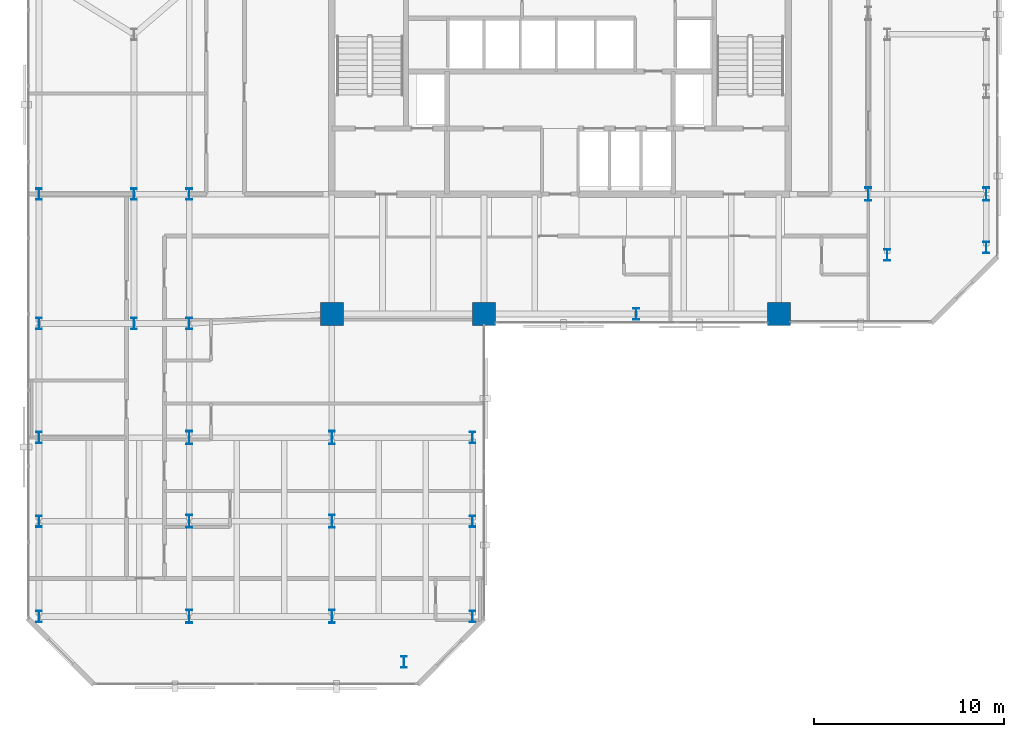
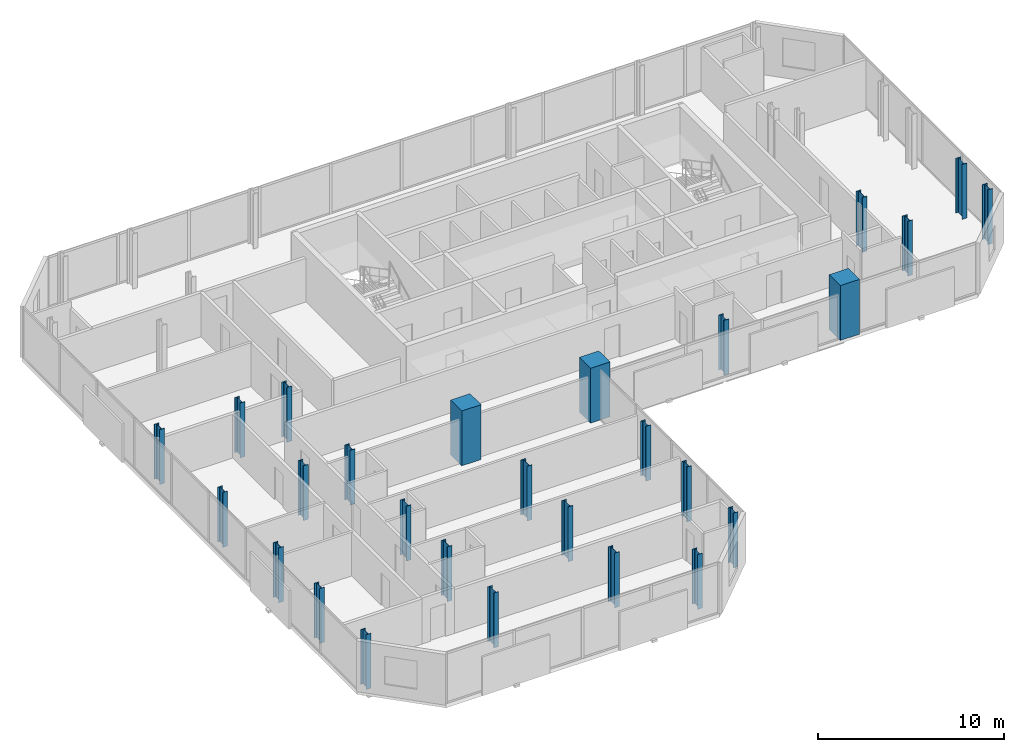
# One storey, part 1 of 32: 27 columns.
"""IFC4 building model written with IfcOpenShell, lengths in metres."""

from ifc_helpers import new_model, si_unit, direction, frame, origin, origin_2d, place, context, subcontext, project, spatial, rectangle, i_section, extrude, material, material_profile, profile_set, type_object, element, save


model = new_model("IFC4")

# Units and contexts
model_context = context("Model", 3, precision=1e-05, world=origin(), true_north=direction((0.0, 1.0)))
body_context = subcontext(model_context, "Body", "Model", "MODEL_VIEW")
ifc_project = project(units=[si_unit("LENGTHUNIT", "METRE"), si_unit("AREAUNIT", "SQUARE_METRE"), si_unit("VOLUMEUNIT", "CUBIC_METRE"), si_unit("PLANEANGLEUNIT", "RADIAN"), si_unit("MASSUNIT", "GRAM", prefix="KILO")], contexts=[model_context])

# Site, building, storey
site_placement = place(None, origin())
site = spatial("IfcSite", under=ifc_project, at=site_placement, CompositionType="ELEMENT")
building_placement = place(site_placement, origin())
building = spatial("IfcBuilding", under=site, at=building_placement, Name="Catumbela Crestline Tower", CompositionType="ELEMENT")
storey_placement = place(building_placement, frame((0.0, 0.0, 129.6)))
storey = spatial("IfcBuildingStorey", under=building, at=storey_placement, Name="L33", CompositionType="ELEMENT", Elevation=129.6)

# Columns
ifc_material_1 = material(Name="Concrete C50/60", Category="concrete")
ifc_material_profile_1 = material_profile(ifc_material_1, rectangle(XDim=1.2, YDim=1.2, at=origin_2d()), Name="RC 1200x1200")
ifc_profile_set_1 = profile_set([ifc_material_profile_1], Name="Concrete C50/60")
column_type_1 = type_object("IfcColumnType", Name="C-RC1200-C50", PredefinedType="COLUMN", material=ifc_profile_set_1)
for number, where, z_axis, x_axis, name in (
    (1, (16.0, 24.5, 0.0), (0.0, 0.0, 1.0), (1.0, 0.0, 0.0), "L33 Column C-16-24 (RC 1200x1200)"),
    (2, (24.0, 24.5, 0.0), (0.0, 0.0, 1.0), (1.0, 0.0, 0.0), "L33 Column C-24-24 (RC 1200x1200)"),
    (3, (39.5, 24.5, 0.0), (0.0, 0.0, 1.0), (1.0, 0.0, 0.0), "L33 Column C-40-24 (RC 1200x1200)"),
):
    element("IfcColumn", number, at=place(storey_placement, frame(where, z_axis=z_axis, x_axis=x_axis)), inside=storey, type_object=column_type_1, Name=name, PredefinedType="COLUMN", context=body_context, shape_type="SweptSolid", body=[
        extrude(rectangle(XDim=1.2, YDim=1.2, at=origin_2d()), origin(), (0.0, 0.0, 1.0), 3.6),
    ])
ifc_material_2 = material(Name="Structural steel S460M", Category="steel")
ifc_material_profile_2 = material_profile(ifc_material_2, i_section(OverallWidth=0.3, OverallDepth=0.6, WebThickness=0.0155, FlangeThickness=0.03, FilletRadius=0.027, at=origin_2d()), Name="HEB 600")
ifc_profile_set_2 = profile_set([ifc_material_profile_2], Name="Structural steel S460M")
column_type_2 = type_object("IfcColumnType", Name="C-ST-HEB600", PredefinedType="COLUMN", material=ifc_profile_set_2)
for number, where, z_axis, x_axis, name in (
    (4, (8.5, 24.0, 0.0), (0.0, 0.0, 1.0), (1.0, 0.0, 0.0), "L33 Column C-08-24 (HEB 600)"),
    (5, (32.0, 24.5, 0.0), (0.0, 0.0, 1.0), (1.0, 0.0, 0.0), "L33 Column C-32-24 (HEB 600)"),
    (6, (5.6, 24.0, 0.0), (0.0, 0.0, 1.0), (1.0, 0.0, 0.0), "L33 Column C-05-24 (HEB 600)"),
    (7, (5.6, 30.8, 0.0), (0.0, 0.0, 1.0), (1.0, 0.0, 0.0), "L33 Column C-05-31 (HEB 600)"),
    (8, (8.5, 30.8, 0.0), (0.0, 0.0, 1.0), (1.0, 0.0, 0.0), "L33 Column C-08-31 (HEB 600)"),
    (9, (45.2, 27.6, 0.0), (0.0, 0.0, 1.0), (1.0, 0.0, 0.0), "L33 Column C-46-24 (HEB 600)"),
    (10, (0.6, 24.0, 0.0), (0.0, 0.0, 1.0), (1.0, 0.0, 0.0), "L33 Column C-00-24 (HEB 600)"),
    (11, (0.6, 30.8, 0.0), (0.0, 0.0, 1.0), (1.0, 0.0, 0.0), "L33 Column C-00-31 (HEB 600)"),
    (12, (50.4, 28.0, 0.0), (0.0, 0.0, 1.0), (1.0, 0.0, 0.0), "L33 Column C-51-24 (HEB 600)"),
    (13, (0.6, 8.6, 0.0), (0.0, 0.0, 1.0), (1.0, 0.0, 0.0), "L33 Column C-00-05 (HEB 600)"),
    (14, (0.6, 13.6, 0.0), (0.0, 0.0, 1.0), (1.0, 0.0, 0.0), "L33 Column C-00-10 (HEB 600)"),
    (15, (0.6, 18.0, 0.0), (0.0, 0.0, 1.0), (1.0, 0.0, 0.0), "L33 Column C-00-16 (HEB 600)"),
    (16, (19.8, 6.2, 0.0), (0.0, 0.0, 1.0), (1.0, 0.0, 0.0), "L33 Column C-24-05 (HEB 600)"),
    (17, (23.4, 8.6, 0.0), (0.0, 0.0, 1.0), (1.0, 0.0, 0.0), "L33 Column C-23-08 (HEB 600)"),
    (18, (23.4, 13.6, 0.0), (0.0, 0.0, 1.0), (1.0, 0.0, 0.0), "L33 Column C-24-10 (HEB 600)"),
    (19, (23.4, 18.0, 0.0), (0.0, 0.0, 1.0), (1.0, 0.0, 0.0), "L33 Column C-24-16 (HEB 600)"),
):
    element("IfcColumn", number, at=place(storey_placement, frame(where, z_axis=z_axis, x_axis=x_axis)), inside=storey, type_object=column_type_2, Name=name, PredefinedType="COLUMN", context=body_context, shape_type="SweptSolid", body=[
        extrude(i_section(OverallWidth=0.3, OverallDepth=0.6, WebThickness=0.0155, FlangeThickness=0.03, FilletRadius=0.027, at=origin_2d()), origin(), (0.0, 0.0, 1.0), 3.6),
    ])
ifc_material_profile_3 = material_profile(ifc_material_2, i_section(OverallWidth=0.3, OverallDepth=0.7, WebThickness=0.017, FlangeThickness=0.032, FilletRadius=0.027, at=origin_2d()), Name="HEB 700")
ifc_profile_set_3 = profile_set([ifc_material_profile_3], Name="Structural steel S460M")
column_type_3 = type_object("IfcColumnType", Name="C-ST-HEB700", PredefinedType="COLUMN", material=ifc_profile_set_3)
for number, where, z_axis, x_axis, name in (
    (20, (8.5, 8.6, 0.0), (0.0, 0.0, 1.0), (1.0, 0.0, 0.0), "L33 Column CT-05-05 (HEB 700)"),
    (21, (16.0, 8.6, 0.0), (0.0, 0.0, 1.0), (1.0, 0.0, 0.0), "L33 Column CT-14-05 (HEB 700)"),
    (22, (8.5, 13.6, 0.0), (0.0, 0.0, 1.0), (1.0, 0.0, 0.0), "L33 Column CT-05-10 (HEB 700)"),
    (23, (16.0, 13.6, 0.0), (0.0, 0.0, 1.0), (1.0, 0.0, 0.0), "L33 Column CT-14-10 (HEB 700)"),
    (24, (8.5, 18.0, 0.0), (0.0, 0.0, 1.0), (1.0, 0.0, 0.0), "L33 Column CT-05-16 (HEB 700)"),
    (25, (16.0, 18.0, 0.0), (0.0, 0.0, 1.0), (1.0, 0.0, 0.0), "L33 Column CT-14-16 (HEB 700)"),
    (26, (44.2, 30.8, 0.0), (0.0, 0.0, 1.0), (1.0, 0.0, 0.0), "L33 Column CT-46-31 (HEB 700)"),
    (27, (50.4, 30.8, 0.0), (0.0, 0.0, 1.0), (1.0, 0.0, 0.0), "L33 Column CT-51-31 (HEB 700)"),
):
    element("IfcColumn", number, at=place(storey_placement, frame(where, z_axis=z_axis, x_axis=x_axis)), inside=storey, type_object=column_type_3, Name=name, PredefinedType="COLUMN", context=body_context, shape_type="SweptSolid", body=[
        extrude(i_section(OverallWidth=0.3, OverallDepth=0.7, WebThickness=0.017, FlangeThickness=0.032, FilletRadius=0.027, at=origin_2d()), origin(), (0.0, 0.0, 1.0), 3.6),
    ])

save(model, "model.ifc")
